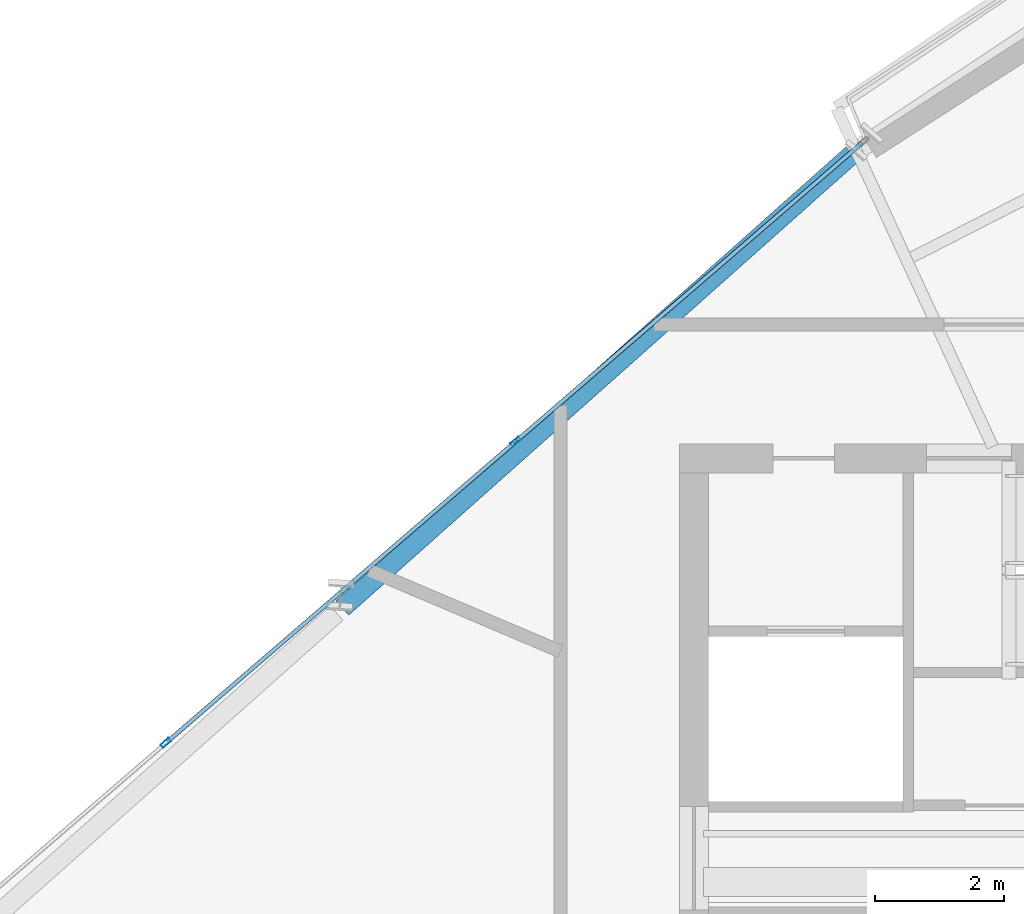
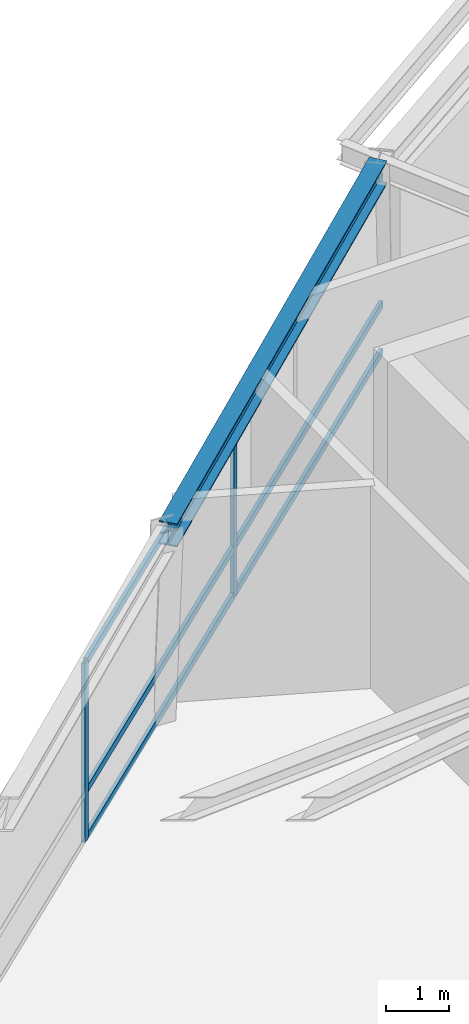
# One storey, part 8 of 22: 8 members, 1 beam, 1 element without a shape of its own.
"""IFC4 building model written with IfcOpenShell, lengths in metres."""

from ifc_helpers import new_model, si_unit, direction, frame, origin, origin_2d, place, context, subcontext, project, spatial, hollow_rectangle, i_section, extrude, source, transform, mapped, material, material_profile, profile_set, type_object, element, aggregate, save


model = new_model("IFC4")

# Units and contexts
model_context = context("Model", 3, precision=1e-05, world=origin(), true_north=direction((0.0, 1.0)))
body_context = subcontext(model_context, "Body", "Model", "MODEL_VIEW")
ifc_project = project(units=[si_unit("LENGTHUNIT", "METRE"), si_unit("AREAUNIT", "SQUARE_METRE"), si_unit("VOLUMEUNIT", "CUBIC_METRE"), si_unit("PLANEANGLEUNIT", "RADIAN"), si_unit("MASSUNIT", "GRAM", prefix="KILO")], contexts=[model_context])

# Site, building, storey
site_placement = place(None, origin())
site = spatial("IfcSite", under=ifc_project, at=site_placement, CompositionType="ELEMENT")
building_placement = place(site_placement, origin())
building = spatial("IfcBuilding", under=site, at=building_placement, Name="Olszyna Solenne Hotel", CompositionType="ELEMENT")
storey_placement = place(building_placement, frame((0.0, 0.0, 281.89990234375)))
storey = spatial("IfcBuildingStorey", under=building, at=storey_placement, Name="L75", CompositionType="ELEMENT", Elevation=281.89990234375)

# Beam
ifc_material_1 = material(Name="Steel S355J2", Category="steel")
ifc_material_profile_1 = material_profile(ifc_material_1, i_section(OverallWidth=0.300048828125, OverallDepth=0.449951171875, WebThickness=0.013916015625, FlangeThickness=0.02587890625, at=origin_2d()), Name="HEB 450", Category="load-bearing")
ifc_profile_set_1 = profile_set([ifc_material_profile_1], Name="Steel S355J2")
beam_type = type_object("IfcBeamType", Name="BM-S4", PredefinedType="BEAM", material=ifc_profile_set_1)
shared_shape_1 = source(origin(), body_context, "Body", "SweptSolid", [
    extrude(i_section(OverallWidth=0.300048828125, OverallDepth=0.449951171875, WebThickness=0.013916015625, FlangeThickness=0.02587890625, at=origin_2d()), origin(), (0.0, 0.0, 1.0), 10.59423828125),
])
beam_placement = place(storey_placement, frame((32.33154296875, 38.64697265625, 3.695068359375), z_axis=(-0.747022674011, -0.66479855935, 0.0), x_axis=(0.66479855935, -0.747022674011, 0.0)))
element("IfcBeam", 1, at=beam_placement, inside=storey, type_object=beam_type, Name="Perimeter spandrel beam BM-S4 B-L75-2198", PredefinedType="BEAM", context=body_context, shape_type="MappedRepresentation", body=[
    mapped(shared_shape_1, transform((0.0, 0.0, 0.0), x_axis=(1.0, 0.0, 0.0), y_axis=(0.0, 1.0, 0.0), z_axis=(0.0, 0.0, 1.0), scale=1.0)),
])

# Curtain wall, members
ifc_material_2 = material(Name="Anodised bronze aluminium", Category="aluminium")
curtain_wall_type = type_object("IfcCurtainWallType", Name="CW-SYS-7", PredefinedType="NOTDEFINED", material=ifc_material_2)
curtain_wall_placement = place(storey_placement, origin())
curtain_wall = element("IfcCurtainWall", 2, at=curtain_wall_placement, inside=storey, type_object=curtain_wall_type, Name="Unitised curtain wall CW-SYS-7 CW-L75-02", PredefinedType="NOTDEFINED")
ifc_material_profile_2 = material_profile(ifc_material_2, hollow_rectangle(XDim=0.06494140625, YDim=0.159912109375, WallThickness=0.00390625, at=origin_2d()), Name="MULL 160x65x4", Category="load-bearing")
ifc_profile_set_2 = profile_set([ifc_material_profile_2], Name="Anodised bronze aluminium")
member_type_1 = type_object("IfcMemberType", Name="CW-M3", PredefinedType="MULLION", material=ifc_profile_set_2)
shared_shape_2 = source(origin(), body_context, "Body", "SweptSolid", [
    extrude(hollow_rectangle(XDim=0.06494140625, YDim=0.159912109375, WallThickness=0.00390625, at=origin_2d()), origin(), (0.0, 0.0, 1.0), 3.462158203125),
])
member_1_placement = place(storey_placement, frame((21.67919921875, 29.5087890625, 0.0), z_axis=(0.0, 0.0, 1.0), x_axis=(-0.652840102884, 0.757495742606, 0.0)))
member_1 = element("IfcMember", 3, at=member_1_placement, type_object=member_type_1, Name="Curtain-wall mullion CW-M3 CM-L75-02-02", PredefinedType="MULLION", context=body_context, shape_type="MappedRepresentation", body=[
    mapped(shared_shape_2, transform((0.0, 0.0, 0.0), x_axis=(1.0, 0.0, 0.0), y_axis=(0.0, 1.0, 0.0), z_axis=(0.0, 0.0, 1.0), scale=1.0)),
])
member_2_placement = place(storey_placement, frame((27.10498046875, 34.184814453125, 0.0), z_axis=(0.0, 0.0, 1.0), x_axis=(-0.652840102884, 0.757495742606, 0.0)))
member_2 = element("IfcMember", 4, at=member_2_placement, type_object=member_type_1, Name="Curtain-wall mullion CW-M3 CM-L75-02-03", PredefinedType="MULLION", context=body_context, shape_type="MappedRepresentation", body=[
    mapped(shared_shape_2, transform((0.0, 0.0, 0.0), x_axis=(1.0, 0.0, 0.0), y_axis=(0.0, 1.0, 0.0), z_axis=(0.0, 0.0, 1.0), scale=1.0)),
])
ifc_material_profile_3 = material_profile(ifc_material_2, hollow_rectangle(XDim=0.06494140625, YDim=0.139892578125, WallThickness=0.00390625, at=origin_2d()), Name="TRAN 140x65x4", Category="load-bearing")
ifc_profile_set_3 = profile_set([ifc_material_profile_3], Name="Anodised bronze aluminium")
member_type_2 = type_object("IfcMemberType", Name="CW-T2", PredefinedType="USERDEFINED", material=ifc_profile_set_3)
shared_shape_3 = source(origin(), body_context, "Body", "SweptSolid", [
    extrude(hollow_rectangle(XDim=0.06494140625, YDim=0.139892578125, WallThickness=0.00390625, at=origin_2d()), origin(), (0.0, 0.0, 1.0), 7.09765625),
])
member_3_placement = place(storey_placement, frame((21.703857421875, 29.530029296875, 0.03271484375), z_axis=(0.757503221492, 0.65283142497, 0.0), x_axis=(-0.65283142497, 0.757503221492, 0.0)))
member_3 = element("IfcMember", 5, at=member_3_placement, type_object=member_type_2, Name="Curtain-wall transom CW-T2 CT-L75-02-04", ObjectType="TRANSOM", PredefinedType="USERDEFINED", context=body_context, shape_type="MappedRepresentation", body=[
    mapped(shared_shape_3, transform((0.0, 0.0, 0.0), x_axis=(1.0, 0.0, 0.0), y_axis=(0.0, 1.0, 0.0), z_axis=(0.0, 0.0, 1.0), scale=1.0)),
])
member_4_placement = place(storey_placement, frame((21.703857421875, 29.530029296875, 0.9501953125), z_axis=(0.757503221492, 0.65283142497, 0.0), x_axis=(-0.65283142497, 0.757503221492, 0.0)))
member_4 = element("IfcMember", 6, at=member_4_placement, type_object=member_type_2, Name="Curtain-wall transom CW-T2 CT-L75-02-05", ObjectType="TRANSOM", PredefinedType="USERDEFINED", context=body_context, shape_type="MappedRepresentation", body=[
    mapped(shared_shape_3, transform((0.0, 0.0, 0.0), x_axis=(1.0, 0.0, 0.0), y_axis=(0.0, 1.0, 0.0), z_axis=(0.0, 0.0, 1.0), scale=1.0)),
])
member_5_placement = place(storey_placement, frame((21.703857421875, 29.530029296875, 3.4296875), z_axis=(0.757503221492, 0.65283142497, 0.0), x_axis=(-0.65283142497, 0.757503221492, 0.0)))
member_5 = element("IfcMember", 7, at=member_5_placement, type_object=member_type_2, Name="Curtain-wall transom CW-T2 CT-L75-02-06", ObjectType="TRANSOM", PredefinedType="USERDEFINED", context=body_context, shape_type="MappedRepresentation", body=[
    mapped(shared_shape_3, transform((0.0, 0.0, 0.0), x_axis=(1.0, 0.0, 0.0), y_axis=(0.0, 1.0, 0.0), z_axis=(0.0, 0.0, 1.0), scale=1.0)),
])
shared_shape_4 = source(origin(), body_context, "Body", "SweptSolid", [
    extrude(hollow_rectangle(XDim=0.06494140625, YDim=0.139892578125, WallThickness=0.00390625, at=origin_2d()), origin(), (0.0, 0.0, 1.0), 7.065185546875),
])
member_6_placement = place(storey_placement, frame((27.129638671875, 34.2060546875, 0.03271484375), z_axis=(0.75748538408, 0.652852121775, 0.0), x_axis=(-0.652852121775, 0.75748538408, 0.0)))
member_6 = element("IfcMember", 8, at=member_6_placement, type_object=member_type_2, Name="Curtain-wall transom CW-T2 CT-L75-02-07", ObjectType="TRANSOM", PredefinedType="USERDEFINED", context=body_context, shape_type="MappedRepresentation", body=[
    mapped(shared_shape_4, transform((0.0, 0.0, 0.0), x_axis=(1.0, 0.0, 0.0), y_axis=(0.0, 1.0, 0.0), z_axis=(0.0, 0.0, 1.0), scale=1.0)),
])
member_7_placement = place(storey_placement, frame((27.129638671875, 34.2060546875, 0.9501953125), z_axis=(0.75748538408, 0.652852121775, 0.0), x_axis=(-0.652852121775, 0.75748538408, 0.0)))
member_7 = element("IfcMember", 9, at=member_7_placement, type_object=member_type_2, Name="Curtain-wall transom CW-T2 CT-L75-02-08", ObjectType="TRANSOM", PredefinedType="USERDEFINED", context=body_context, shape_type="MappedRepresentation", body=[
    mapped(shared_shape_4, transform((0.0, 0.0, 0.0), x_axis=(1.0, 0.0, 0.0), y_axis=(0.0, 1.0, 0.0), z_axis=(0.0, 0.0, 1.0), scale=1.0)),
])
member_8_placement = place(storey_placement, frame((27.129638671875, 34.2060546875, 3.4296875), z_axis=(0.75748538408, 0.652852121775, 0.0), x_axis=(-0.652852121775, 0.75748538408, 0.0)))
member_8 = element("IfcMember", 10, at=member_8_placement, type_object=member_type_2, Name="Curtain-wall transom CW-T2 CT-L75-02-09", ObjectType="TRANSOM", PredefinedType="USERDEFINED", context=body_context, shape_type="MappedRepresentation", body=[
    mapped(shared_shape_4, transform((0.0, 0.0, 0.0), x_axis=(1.0, 0.0, 0.0), y_axis=(0.0, 1.0, 0.0), z_axis=(0.0, 0.0, 1.0), scale=1.0)),
])
aggregate(curtain_wall, [member_1, member_2, member_3, member_4, member_5, member_6, member_7, member_8])

save(model, "model.ifc")
